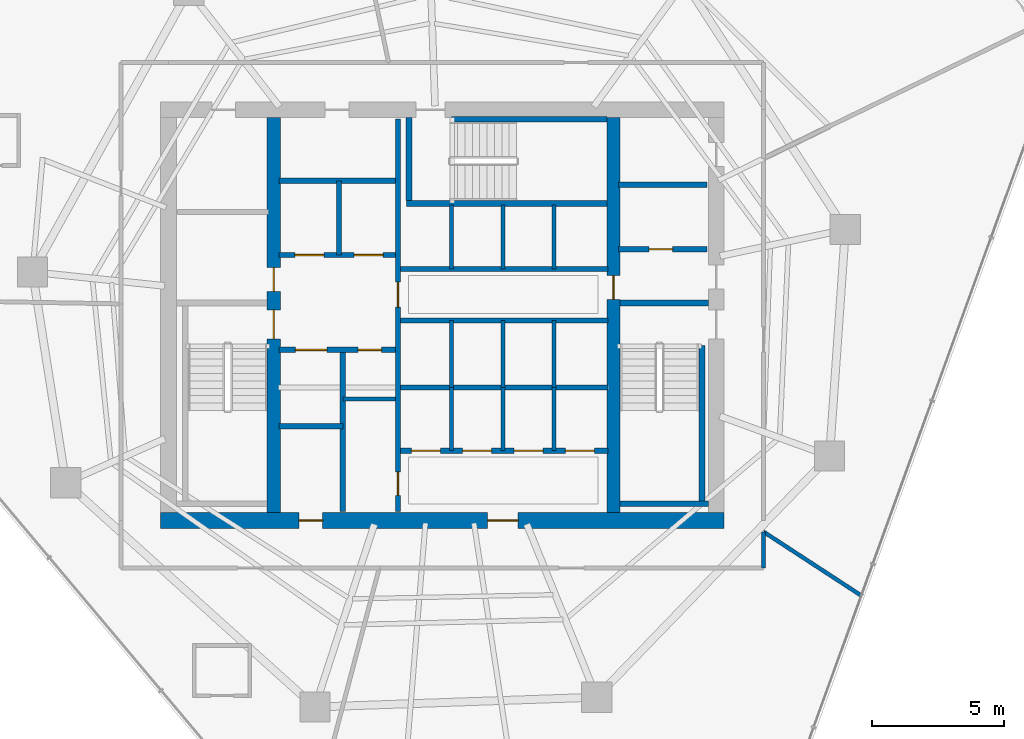
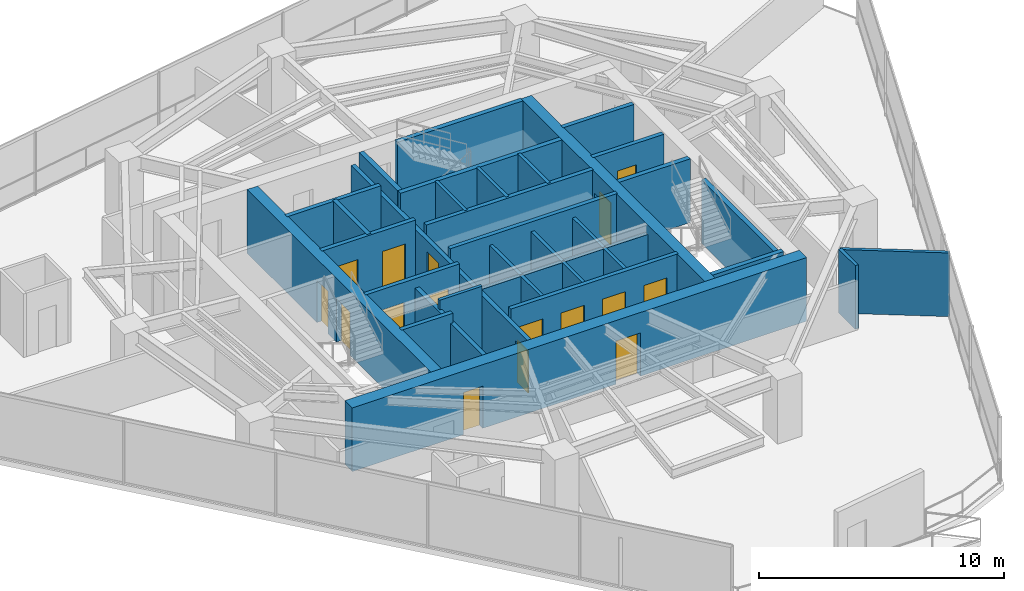
# One storey, part 24 of 27: 34 walls, 16 doors, 16 openings.
"""IFC4 building model written with IfcOpenShell, lengths in metres."""

from ifc_helpers import new_model, si_unit, direction, frame, frame_2d, origin, place, context, subcontext, project, spatial, rectangle, extrude, material, layer, layer_set, type_object, element, fill, save


model = new_model("IFC4")

# Units and contexts
model_context = context("Model", 3, precision=1e-05, world=origin(), true_north=direction((0.0, 1.0)))
body_context = subcontext(model_context, "Body", "Model", "MODEL_VIEW")
ifc_project = project(units=[si_unit("LENGTHUNIT", "METRE"), si_unit("AREAUNIT", "SQUARE_METRE"), si_unit("VOLUMEUNIT", "CUBIC_METRE"), si_unit("PLANEANGLEUNIT", "RADIAN"), si_unit("MASSUNIT", "GRAM", prefix="KILO")], contexts=[model_context])

# Site, building, storey
site_placement = place(None, origin())
site = spatial("IfcSite", under=ifc_project, at=site_placement, CompositionType="ELEMENT")
building_placement = place(site_placement, origin())
building = spatial("IfcBuilding", under=site, at=building_placement, Name="Qarnah Convention Tower", CompositionType="ELEMENT")
storey_placement = place(building_placement, frame((0.0, 0.0, 103.949951171875)))
storey = spatial("IfcBuildingStorey", under=building, at=storey_placement, Name="L27", CompositionType="ELEMENT", Elevation=103.949951171875)

# Wall, openings, doors
ifc_material_1 = material(Name="Concrete C60/75", Category="concrete")
ifc_layer_1 = layer(ifc_material_1, 0.60009765625)
ifc_layer_set_1 = layer_set([ifc_layer_1], Name="Concrete C60/75")
wall_type_1 = type_object("IfcWallType", Name="WL-CORE-600", PredefinedType="SHEAR", material=ifc_layer_set_1)
wall_1_placement = place(storey_placement, frame((26.5, 18.60009765625, 0.0), z_axis=(0.0, 0.0, 1.0), x_axis=(1.0, 0.0, 0.0)))
wall_1 = element("IfcWall", 1, at=wall_1_placement, inside=storey, type_object=wall_type_1, Name="L27 core south shear wall", PredefinedType="SHEAR", context=body_context, shape_type="SweptSolid", body=[
    extrude(rectangle(XDim=21.39990234375, YDim=0.60009765625, at=frame_2d((10.699951171875, 0.0))), origin(), (0.0, 0.0, 1.0), 3.170166015625),
])
opening_1_placement = place(wall_1_placement, frame((12.425048828125, 0.0, 0.0)))
opening_1 = element("IfcOpeningElement", 2, at=opening_1_placement, cuts=wall_1, Name="Opening D-2707", PredefinedType="OPENING", context=body_context, shape_type="SweptSolid", body=[
    extrude(rectangle(XDim=1.14990234375, YDim=2.14990234375, at=frame_2d((0.574951171875, 1.074951171875))), frame((0.0, 0.31005859375, 0.0), z_axis=(0.0, -1.0, 0.0), x_axis=(1.0, 0.0, 0.0)), (0.0, 0.0, 1.0), 0.6201171875),
])
opening_2_placement = place(wall_1_placement, frame((5.25, 0.0, 0.0)))
opening_2 = element("IfcOpeningElement", 3, at=opening_2_placement, cuts=wall_1, Name="Opening D-2713", PredefinedType="OPENING", context=body_context, shape_type="SweptSolid", body=[
    extrude(rectangle(XDim=0.89990234375, YDim=2.10009765625, at=frame_2d((0.449951171875, 1.050048828125))), frame((0.0, 0.31005859375, 0.0), z_axis=(0.0, -1.0, 0.0), x_axis=(1.0, 0.0, 0.0)), (0.0, 0.0, 1.0), 0.6201171875),
])
ifc_material_2 = material(Name="Structural steel S355JR", Category="steel")
door_type_1 = type_object("IfcDoorType", Name="DT-LOBBY-1150", OperationType="NOTDEFINED", PredefinedType="DOOR", material=ifc_material_2)
door_1_placement = place(opening_1_placement, origin())
door_1 = element("IfcDoor", 4, at=door_1_placement, inside=storey, type_object=door_type_1, Name="Door D-2707", OperationType="SINGLE_SWING_RIGHT", OverallHeight=2.14990234375, OverallWidth=1.14990234375, PredefinedType="DOOR", context=body_context, shape_type="SweptSolid", body=[
    extrude(rectangle(XDim=1.14990234375, YDim=2.14990234375, at=frame_2d((0.574951171875, 1.074951171875))), frame((0.0, 0.02490234375, 0.0), z_axis=(0.0, -1.0, 0.0), x_axis=(1.0, 0.0, 0.0)), (0.0, 0.0, 1.0), 0.050048828125),
])
fill(opening_1, door_1)
door_type_2 = type_object("IfcDoorType", Name="DT-RISER-900", OperationType="NOTDEFINED", PredefinedType="DOOR", material=ifc_material_2)
door_2_placement = place(opening_2_placement, origin())
door_2 = element("IfcDoor", 5, at=door_2_placement, inside=storey, type_object=door_type_2, Name="Door D-2713", OperationType="SINGLE_SWING_RIGHT", OverallHeight=2.10009765625, OverallWidth=0.89990234375, PredefinedType="DOOR", context=body_context, shape_type="SweptSolid", body=[
    extrude(rectangle(XDim=0.89990234375, YDim=2.10009765625, at=frame_2d((0.449951171875, 1.050048828125))), frame((0.0, 0.02490234375, 0.0), z_axis=(0.0, -1.0, 0.0), x_axis=(1.0, 0.0, 0.0)), (0.0, 0.0, 1.0), 0.050048828125),
])
fill(opening_2, door_2)

ifc_layer_2 = layer(ifc_material_1, 0.5)
ifc_layer_set_2 = layer_set([ifc_layer_2], Name="Concrete C60/75")
wall_type_2 = type_object("IfcWallType", Name="WL-CORE-INT-400", PredefinedType="SHEAR", material=ifc_layer_set_2)
wall_2_placement = place(storey_placement, frame((30.800048828125, 18.89990234375, 0.0), z_axis=(0.0, 0.0, 1.0), x_axis=(0.0, 1.0, 0.0)))
wall_2 = element("IfcWall", 6, at=wall_2_placement, inside=storey, type_object=wall_type_2, Name="L27 core west spine shear wall", PredefinedType="SHEAR", context=body_context, shape_type="SweptSolid", body=[
    extrude(rectangle(XDim=15.0, YDim=0.5, at=frame_2d((7.5, 0.0))), origin(), (0.0, 0.0, 1.0), 3.170166015625),
])
opening_3_placement = place(wall_2_placement, frame((6.60009765625, 0.0, 0.0)))
opening_3 = element("IfcOpeningElement", 7, at=opening_3_placement, cuts=wall_2, Name="Opening D-2701", PredefinedType="OPENING", context=body_context, shape_type="SweptSolid", body=[
    extrude(rectangle(XDim=1.10009765625, YDim=2.14990234375, at=frame_2d((0.550048828125, 1.074951171875))), frame((0.0, 0.260009765625, 0.0), z_axis=(0.0, -1.0, 0.0), x_axis=(1.0, 0.0, 0.0)), (0.0, 0.0, 1.0), 0.52001953125),
])
opening_4_placement = place(wall_2_placement, frame((8.39990234375, 0.0, 0.0)))
opening_4 = element("IfcOpeningElement", 8, at=opening_4_placement, cuts=wall_2, Name="Opening D-2708", PredefinedType="OPENING", context=body_context, shape_type="SweptSolid", body=[
    extrude(rectangle(XDim=0.89990234375, YDim=2.10009765625, at=frame_2d((0.449951171875, 1.050048828125))), frame((0.0, 0.260009765625, 0.0), z_axis=(0.0, -1.0, 0.0), x_axis=(1.0, 0.0, 0.0)), (0.0, 0.0, 1.0), 0.52001953125),
])
door_3_placement = place(opening_4_placement, origin())
door_3 = element("IfcDoor", 9, at=door_3_placement, inside=storey, type_object=door_type_2, Name="Door D-2708", OperationType="SINGLE_SWING_LEFT", OverallHeight=2.10009765625, OverallWidth=0.89990234375, PredefinedType="DOOR", context=body_context, shape_type="SweptSolid", body=[
    extrude(rectangle(XDim=0.89990234375, YDim=2.10009765625, at=frame_2d((0.449951171875, 1.050048828125))), frame((0.0, 0.02490234375, 0.0), z_axis=(0.0, -1.0, 0.0), x_axis=(1.0, 0.0, 0.0)), (0.0, 0.0, 1.0), 0.050048828125),
])
fill(opening_4, door_3)
door_type_3 = type_object("IfcDoorType", Name="DT-STAIR-1100", OperationType="NOTDEFINED", PredefinedType="DOOR", material=ifc_material_2)
door_4_placement = place(opening_3_placement, origin())
door_4 = element("IfcDoor", 10, at=door_4_placement, inside=storey, type_object=door_type_3, Name="Door D-2701", OperationType="SINGLE_SWING_RIGHT", OverallHeight=2.14990234375, OverallWidth=1.10009765625, PredefinedType="DOOR", context=body_context, shape_type="SweptSolid", body=[
    extrude(rectangle(XDim=1.10009765625, YDim=2.14990234375, at=frame_2d((0.550048828125, 1.074951171875))), frame((0.0, 0.02490234375, 0.0), z_axis=(0.0, -1.0, 0.0), x_axis=(1.0, 0.0, 0.0)), (0.0, 0.0, 1.0), 0.050048828125),
])
fill(opening_3, door_4)

# Wall, opening, door
wall_3_placement = place(storey_placement, frame((43.699951171875, 18.89990234375, 0.0), z_axis=(0.0, 0.0, 1.0), x_axis=(0.0, 1.0, 0.0)))
wall_3 = element("IfcWall", 11, at=wall_3_placement, inside=storey, type_object=wall_type_2, Name="L27 core east spine shear wall", PredefinedType="SHEAR", context=body_context, shape_type="SweptSolid", body=[
    extrude(rectangle(XDim=15.0, YDim=0.5, at=frame_2d((7.5, 0.0))), origin(), (0.0, 0.0, 1.0), 3.170166015625),
])
opening_5_placement = place(wall_3_placement, frame((8.10009765625, 0.0, 0.0)))
opening_5 = element("IfcOpeningElement", 12, at=opening_5_placement, cuts=wall_3, Name="Opening D-2705", PredefinedType="OPENING", context=body_context, shape_type="SweptSolid", body=[
    extrude(rectangle(XDim=0.89990234375, YDim=2.10009765625, at=frame_2d((0.449951171875, 1.050048828125))), frame((0.0, 0.260009765625, 0.0), z_axis=(0.0, -1.0, 0.0), x_axis=(1.0, 0.0, 0.0)), (0.0, 0.0, 1.0), 0.52001953125),
])
door_5_placement = place(opening_5_placement, origin())
door_5 = element("IfcDoor", 13, at=door_5_placement, inside=storey, type_object=door_type_2, Name="Door D-2705", OperationType="SINGLE_SWING_RIGHT", OverallHeight=2.10009765625, OverallWidth=0.89990234375, PredefinedType="DOOR", context=body_context, shape_type="SweptSolid", body=[
    extrude(rectangle(XDim=0.89990234375, YDim=2.10009765625, at=frame_2d((0.449951171875, 1.050048828125))), frame((0.0, 0.02490234375, 0.0), z_axis=(0.0, -1.0, 0.0), x_axis=(1.0, 0.0, 0.0)), (0.0, 0.0, 1.0), 0.050048828125),
])
fill(opening_5, door_5)

ifc_material_3 = material(Name="Concrete C45/55", Category="concrete")
ifc_layer_3 = layer(ifc_material_3, 0.199951171875)
ifc_layer_set_3 = layer_set([ifc_layer_3], Name="Concrete C45/55")
wall_type_3 = type_object("IfcWallType", Name="WL-CORE-PART-200", PredefinedType="SOLIDWALL", material=ifc_layer_set_3)
wall_4_placement = place(storey_placement, frame((43.89990234375, 28.89990234375, 0.0), z_axis=(0.0, 0.0, 1.0), x_axis=(1.0, 0.0, 0.0)))
wall_4 = element("IfcWall", 14, at=wall_4_placement, inside=storey, type_object=wall_type_3, Name="L27 interior wall IW-L27-EVSTN", PredefinedType="SOLIDWALL", context=body_context, shape_type="SweptSolid", body=[
    extrude(rectangle(XDim=3.35009765625, YDim=0.199951171875, at=frame_2d((1.675048828125, 0.0))), origin(), (0.0, 0.0, 1.0), 3.170166015625),
])
opening_6_placement = place(wall_4_placement, frame((1.14990234375, 0.0, 0.0)))
opening_6 = element("IfcOpeningElement", 15, at=opening_6_placement, cuts=wall_4, Name="Opening D-2711", PredefinedType="OPENING", context=body_context, shape_type="SweptSolid", body=[
    extrude(rectangle(XDim=0.89990234375, YDim=2.10009765625, at=frame_2d((0.449951171875, 1.050048828125))), frame((0.0, 0.10986328125, 0.0), z_axis=(0.0, -1.0, 0.0), x_axis=(1.0, 0.0, 0.0)), (0.0, 0.0, 1.0), 0.219970703125),
])
door_6_placement = place(opening_6_placement, origin())
door_6 = element("IfcDoor", 16, at=door_6_placement, inside=storey, type_object=door_type_2, Name="Door D-2711", OperationType="SINGLE_SWING_RIGHT", OverallHeight=2.10009765625, OverallWidth=0.89990234375, PredefinedType="DOOR", context=body_context, shape_type="SweptSolid", body=[
    extrude(rectangle(XDim=0.89990234375, YDim=2.10009765625, at=frame_2d((0.449951171875, 1.050048828125))), frame((0.0, 0.02490234375, 0.0), z_axis=(0.0, -1.0, 0.0), x_axis=(1.0, 0.0, 0.0)), (0.0, 0.0, 1.0), 0.050048828125),
])
fill(opening_6, door_6)

# Wall
wall_5_placement = place(storey_placement, frame((43.89990234375, 31.35009765625, 0.0), z_axis=(0.0, 0.0, 1.0), x_axis=(1.0, 0.0, 0.0)))
element("IfcWall", 17, at=wall_5_placement, inside=storey, type_object=wall_type_3, Name="L27 interior wall IW-L27-WTRN", PredefinedType="SOLIDWALL", context=body_context, shape_type="SweptSolid", body=[
    extrude(rectangle(XDim=3.35009765625, YDim=0.199951171875, at=frame_2d((1.675048828125, 0.0))), origin(), (0.0, 0.0, 1.0), 3.170166015625),
])

# Wall, openings, doors
wall_6_placement = place(storey_placement, frame((35.52001953125, 18.949951171875, 0.0), z_axis=(0.0, 0.0, 1.0), x_axis=(0.0, 1.0, 0.0)))
wall_6 = element("IfcWall", 18, at=wall_6_placement, inside=storey, type_object=wall_type_3, Name="L27 interior wall IW-L27-CSP", PredefinedType="SOLIDWALL", context=body_context, shape_type="SweptSolid", body=[
    extrude(rectangle(XDim=14.900146484375, YDim=0.199951171875, at=frame_2d((7.4501953125, 0.0))), origin(), (0.0, 0.0, 1.0), 2.691162109375),
])
opening_7_placement = place(wall_6_placement, frame((7.7548828125, 0.0, 0.0)))
opening_7 = element("IfcOpeningElement", 19, at=opening_7_placement, cuts=wall_6, Name="Opening D-2704", PredefinedType="OPENING", context=body_context, shape_type="SweptSolid", body=[
    extrude(rectangle(XDim=0.949951171875, YDim=2.14990234375, at=frame_2d((0.47509765625, 1.074951171875))), frame((0.0, 0.10986328125, 0.0), z_axis=(0.0, -1.0, 0.0), x_axis=(1.0, 0.0, 0.0)), (0.0, 0.0, 1.0), 0.219970703125),
])
opening_8_placement = place(wall_6_placement, frame((0.60009765625, 0.0, 0.0)))
opening_8 = element("IfcOpeningElement", 20, at=opening_8_placement, cuts=wall_6, Name="Opening D-2714", PredefinedType="OPENING", context=body_context, shape_type="SweptSolid", body=[
    extrude(rectangle(XDim=0.89990234375, YDim=2.10009765625, at=frame_2d((0.449951171875, 1.050048828125))), frame((0.0, 0.10986328125, 0.0), z_axis=(0.0, -1.0, 0.0), x_axis=(1.0, 0.0, 0.0)), (0.0, 0.0, 1.0), 0.219970703125),
])
ifc_material_4 = material(Name="Oak timber veneer", Category="wood")
door_type_4 = type_object("IfcDoorType", Name="DT-HOTEL-950", OperationType="NOTDEFINED", PredefinedType="DOOR", material=ifc_material_4)
door_7_placement = place(opening_7_placement, origin())
door_7 = element("IfcDoor", 21, at=door_7_placement, inside=storey, type_object=door_type_4, Name="Door D-2704", OperationType="SINGLE_SWING_LEFT", OverallHeight=2.14990234375, OverallWidth=0.949951171875, PredefinedType="DOOR", context=body_context, shape_type="SweptSolid", body=[
    extrude(rectangle(XDim=0.949951171875, YDim=2.14990234375, at=frame_2d((0.47509765625, 1.074951171875))), frame((0.0, 0.02490234375, 0.0), z_axis=(0.0, -1.0, 0.0), x_axis=(1.0, 0.0, 0.0)), (0.0, 0.0, 1.0), 0.050048828125),
])
fill(opening_7, door_7)
door_8_placement = place(opening_8_placement, origin())
door_8 = element("IfcDoor", 22, at=door_8_placement, inside=storey, type_object=door_type_2, Name="Door D-2714", OperationType="SINGLE_SWING_LEFT", OverallHeight=2.10009765625, OverallWidth=0.89990234375, PredefinedType="DOOR", context=body_context, shape_type="SweptSolid", body=[
    extrude(rectangle(XDim=0.89990234375, YDim=2.10009765625, at=frame_2d((0.449951171875, 1.050048828125))), frame((0.0, 0.02490234375, 0.0), z_axis=(0.0, -1.0, 0.0), x_axis=(1.0, 0.0, 0.0)), (0.0, 0.0, 1.0), 0.050048828125),
])
fill(opening_8, door_8)

wall_7_placement = place(storey_placement, frame((31.0, 28.679931640625, 0.0), z_axis=(0.0, 0.0, 1.0), x_axis=(1.0, 0.0, 0.0)))
wall_7 = element("IfcWall", 23, at=wall_7_placement, inside=storey, type_object=wall_type_3, Name="L27 interior wall IW-L27-FFLS", PredefinedType="SOLIDWALL", context=body_context, shape_type="SweptSolid", body=[
    extrude(rectangle(XDim=4.419921875, YDim=0.199951171875, at=frame_2d((2.2099609375, 0.0))), origin(), (0.0, 0.0, 1.0), 3.170166015625),
])
opening_9_placement = place(wall_7_placement, frame((0.60009765625, 0.0, 0.0)))
opening_9 = element("IfcOpeningElement", 24, at=opening_9_placement, cuts=wall_7, Name="Opening LD-2701", PredefinedType="OPENING", context=body_context, shape_type="SweptSolid", body=[
    extrude(rectangle(XDim=1.10009765625, YDim=2.14990234375, at=frame_2d((0.550048828125, 1.074951171875))), frame((0.0, 0.10986328125, 0.0), z_axis=(0.0, -1.0, 0.0), x_axis=(1.0, 0.0, 0.0)), (0.0, 0.0, 1.0), 0.219970703125),
])
opening_10_placement = place(wall_7_placement, frame((2.85009765625, 0.0, 0.0)))
opening_10 = element("IfcOpeningElement", 25, at=opening_10_placement, cuts=wall_7, Name="Opening LD-2702", PredefinedType="OPENING", context=body_context, shape_type="SweptSolid", body=[
    extrude(rectangle(XDim=1.10009765625, YDim=2.14990234375, at=frame_2d((0.550048828125, 1.074951171875))), frame((0.0, 0.10986328125, 0.0), z_axis=(0.0, -1.0, 0.0), x_axis=(1.0, 0.0, 0.0)), (0.0, 0.0, 1.0), 0.219970703125),
])
door_type_5 = type_object("IfcDoorType", Name="DT-LIFT-1100", OperationType="SLIDING_TO_LEFT", PredefinedType="DOOR", material=ifc_material_2)
door_9_placement = place(opening_9_placement, origin())
door_9 = element("IfcDoor", 26, at=door_9_placement, inside=storey, type_object=door_type_5, Name="Door LD-2701", OperationType="SLIDING_TO_LEFT", OverallHeight=2.14990234375, OverallWidth=1.10009765625, PredefinedType="DOOR", context=body_context, shape_type="SweptSolid", body=[
    extrude(rectangle(XDim=1.10009765625, YDim=2.14990234375, at=frame_2d((0.550048828125, 1.074951171875))), frame((0.0, 0.02490234375, 0.0), z_axis=(0.0, -1.0, 0.0), x_axis=(1.0, 0.0, 0.0)), (0.0, 0.0, 1.0), 0.050048828125),
])
fill(opening_9, door_9)
door_10_placement = place(opening_10_placement, origin())
door_10 = element("IfcDoor", 27, at=door_10_placement, inside=storey, type_object=door_type_5, Name="Door LD-2702", OperationType="SLIDING_TO_LEFT", OverallHeight=2.14990234375, OverallWidth=1.10009765625, PredefinedType="DOOR", context=body_context, shape_type="SweptSolid", body=[
    extrude(rectangle(XDim=1.10009765625, YDim=2.14990234375, at=frame_2d((0.550048828125, 1.074951171875))), frame((0.0, 0.02490234375, 0.0), z_axis=(0.0, -1.0, 0.0), x_axis=(1.0, 0.0, 0.0)), (0.0, 0.0, 1.0), 0.050048828125),
])
fill(opening_10, door_10)

# Walls
wall_8_placement = place(storey_placement, frame((31.0, 31.5, 0.0), z_axis=(0.0, 0.0, 1.0), x_axis=(1.0, 0.0, 0.0)))
element("IfcWall", 28, at=wall_8_placement, inside=storey, type_object=wall_type_3, Name="L27 interior wall IW-L27-FFLN", PredefinedType="SOLIDWALL", context=body_context, shape_type="SweptSolid", body=[
    extrude(rectangle(XDim=4.419921875, YDim=0.199951171875, at=frame_2d((2.2099609375, 0.0))), origin(), (0.0, 0.0, 1.0), 3.170166015625),
])
wall_9_placement = place(storey_placement, frame((33.280029296875, 28.679931640625, 0.0), z_axis=(0.0, 0.0, 1.0), x_axis=(0.0, 1.0, 0.0)))
element("IfcWall", 29, at=wall_9_placement, inside=storey, type_object=wall_type_3, Name="L27 interior wall IW-L27-FFLM", PredefinedType="SOLIDWALL", context=body_context, shape_type="SweptSolid", body=[
    extrude(rectangle(XDim=2.820068359375, YDim=0.199951171875, at=frame_2d((1.41015625, 0.0))), origin(), (0.0, 0.0, 1.0), 3.170166015625),
])

# Wall, openings, doors
wall_10_placement = place(storey_placement, frame((31.0, 25.080078125, 0.0), z_axis=(0.0, 0.0, 1.0), x_axis=(1.0, 0.0, 0.0)))
wall_10 = element("IfcWall", 30, at=wall_10_placement, inside=storey, type_object=wall_type_3, Name="L27 interior wall IW-L27-FFLBS", PredefinedType="SOLIDWALL", context=body_context, shape_type="SweptSolid", body=[
    extrude(rectangle(XDim=4.419921875, YDim=0.199951171875, at=frame_2d((2.2099609375, 0.0))), origin(), (0.0, 0.0, 1.0), 3.170166015625),
])
opening_11_placement = place(wall_10_placement, frame((3.0, 0.0, 0.0)))
opening_11 = element("IfcOpeningElement", 31, at=opening_11_placement, cuts=wall_10, Name="Opening D-2715", PredefinedType="OPENING", context=body_context, shape_type="SweptSolid", body=[
    extrude(rectangle(XDim=0.89990234375, YDim=2.10009765625, at=frame_2d((0.449951171875, 1.050048828125))), frame((0.0, 0.10986328125, 0.0), z_axis=(0.0, -1.0, 0.0), x_axis=(1.0, 0.0, 0.0)), (0.0, 0.0, 1.0), 0.219970703125),
])
opening_12_placement = place(wall_10_placement, frame((0.6201171875, 0.0, 0.0)))
opening_12 = element("IfcOpeningElement", 32, at=opening_12_placement, cuts=wall_10, Name="Opening LD-2703", PredefinedType="OPENING", context=body_context, shape_type="SweptSolid", body=[
    extrude(rectangle(XDim=1.199951171875, YDim=2.14990234375, at=frame_2d((0.60009765625, 1.074951171875))), frame((0.0, 0.10986328125, 0.0), z_axis=(0.0, -1.0, 0.0), x_axis=(1.0, 0.0, 0.0)), (0.0, 0.0, 1.0), 0.219970703125),
])
door_type_6 = type_object("IfcDoorType", Name="DT-LIFT-1200", OperationType="SLIDING_TO_LEFT", PredefinedType="DOOR", material=ifc_material_2)
door_11_placement = place(opening_12_placement, origin())
door_11 = element("IfcDoor", 33, at=door_11_placement, inside=storey, type_object=door_type_6, Name="Door LD-2703", OperationType="SLIDING_TO_LEFT", OverallHeight=2.14990234375, OverallWidth=1.199951171875, PredefinedType="DOOR", context=body_context, shape_type="SweptSolid", body=[
    extrude(rectangle(XDim=1.199951171875, YDim=2.14990234375, at=frame_2d((0.60009765625, 1.074951171875))), frame((0.0, 0.02490234375, 0.0), z_axis=(0.0, -1.0, 0.0), x_axis=(1.0, 0.0, 0.0)), (0.0, 0.0, 1.0), 0.050048828125),
])
fill(opening_12, door_11)
door_12_placement = place(opening_11_placement, origin())
door_12 = element("IfcDoor", 34, at=door_12_placement, inside=storey, type_object=door_type_2, Name="Door D-2715", OperationType="SINGLE_SWING_RIGHT", OverallHeight=2.10009765625, OverallWidth=0.89990234375, PredefinedType="DOOR", context=body_context, shape_type="SweptSolid", body=[
    extrude(rectangle(XDim=0.89990234375, YDim=2.10009765625, at=frame_2d((0.449951171875, 1.050048828125))), frame((0.0, 0.02490234375, 0.0), z_axis=(0.0, -1.0, 0.0), x_axis=(1.0, 0.0, 0.0)), (0.0, 0.0, 1.0), 0.050048828125),
])
fill(opening_11, door_12)

# Walls
wall_11_placement = place(storey_placement, frame((33.419921875, 18.949951171875, 0.0), z_axis=(0.0, 0.0, 1.0), x_axis=(0.0, 1.0, 0.0)))
element("IfcWall", 35, at=wall_11_placement, inside=storey, type_object=wall_type_3, Name="L27 interior wall IW-L27-SVLE", PredefinedType="SOLIDWALL", context=body_context, shape_type="SweptSolid", body=[
    extrude(rectangle(XDim=6.130126953125, YDim=0.199951171875, at=frame_2d((3.06494140625, 0.0))), origin(), (0.0, 0.0, 1.0), 2.691162109375),
])
wall_12_placement = place(storey_placement, frame((31.0, 22.179931640625, 0.0), z_axis=(0.0, 0.0, 1.0), x_axis=(1.0, 0.0, 0.0)))
element("IfcWall", 36, at=wall_12_placement, inside=storey, type_object=wall_type_3, Name="L27 interior wall IW-L27-SVLS", PredefinedType="SOLIDWALL", context=body_context, shape_type="SweptSolid", body=[
    extrude(rectangle(XDim=2.419921875, YDim=0.199951171875, at=frame_2d((1.2099609375, 0.0))), origin(), (0.0, 0.0, 1.0), 3.170166015625),
])
for number, where, z_axis, x_axis, name in (
    (37, (35.6201171875, 28.14990234375, 0.0), (0.0, 0.0, 1.0), (1.0, 0.0, 0.0), "L27 interior wall IW-L27-PHS"),
    (38, (35.6201171875, 26.199951171875, 0.0), (0.0, 0.0, 1.0), (1.0, 0.0, 0.0), "L27 interior wall IW-L27-PMN"),
):
    element("IfcWall", number, at=place(storey_placement, frame(where, z_axis=z_axis, x_axis=x_axis)), inside=storey, type_object=wall_type_3, Name=name, PredefinedType="SOLIDWALL", context=body_context, shape_type="SweptSolid", body=[
        extrude(rectangle(XDim=7.8798828125, YDim=0.199951171875, at=frame_2d((3.93994140625, 0.0))), origin(), (0.0, 0.0, 1.0), 3.170166015625),
    ])
wall_13_placement = place(storey_placement, frame((35.6201171875, 23.64990234375, 0.0), z_axis=(0.0, 0.0, 1.0), x_axis=(1.0, 0.0, 0.0)))
element("IfcWall", 39, at=wall_13_placement, inside=storey, type_object=wall_type_3, Name="L27 interior wall IW-L27-PMPL", PredefinedType="SOLIDWALL", context=body_context, shape_type="SweptSolid", body=[
    extrude(rectangle(XDim=7.8798828125, YDim=0.199951171875, at=frame_2d((3.93994140625, 0.0))), origin(), (0.0, 0.0, 1.0), 2.691162109375),
])

# Wall, openings, doors
wall_14_placement = place(storey_placement, frame((35.6201171875, 21.25, 0.0), z_axis=(0.0, 0.0, 1.0), x_axis=(1.0, 0.0, 0.0)))
wall_14 = element("IfcWall", 40, at=wall_14_placement, inside=storey, type_object=wall_type_3, Name="L27 interior wall IW-L27-PLS", PredefinedType="SOLIDWALL", context=body_context, shape_type="SweptSolid", body=[
    extrude(rectangle(XDim=7.8798828125, YDim=0.199951171875, at=frame_2d((3.93994140625, 0.0))), origin(), (0.0, 0.0, 1.0), 3.170166015625),
])
opening_13_placement = place(wall_14_placement, frame((0.405029296875, 0.0, 0.0)))
opening_13 = element("IfcOpeningElement", 41, at=opening_13_placement, cuts=wall_14, Name="Opening LD-2704", PredefinedType="OPENING", context=body_context, shape_type="SweptSolid", body=[
    extrude(rectangle(XDim=1.10009765625, YDim=2.14990234375, at=frame_2d((0.550048828125, 1.074951171875))), frame((0.0, 0.10986328125, 0.0), z_axis=(0.0, -1.0, 0.0), x_axis=(1.0, 0.0, 0.0)), (0.0, 0.0, 1.0), 0.219970703125),
])
opening_14_placement = place(wall_14_placement, frame((2.35498046875, 0.0, 0.0)))
opening_14 = element("IfcOpeningElement", 42, at=opening_14_placement, cuts=wall_14, Name="Opening LD-2705", PredefinedType="OPENING", context=body_context, shape_type="SweptSolid", body=[
    extrude(rectangle(XDim=1.10009765625, YDim=2.14990234375, at=frame_2d((0.550048828125, 1.074951171875))), frame((0.0, 0.10986328125, 0.0), z_axis=(0.0, -1.0, 0.0), x_axis=(1.0, 0.0, 0.0)), (0.0, 0.0, 1.0), 0.219970703125),
])
opening_15_placement = place(wall_14_placement, frame((4.304931640625, 0.0, 0.0)))
opening_15 = element("IfcOpeningElement", 43, at=opening_15_placement, cuts=wall_14, Name="Opening LD-2706", PredefinedType="OPENING", context=body_context, shape_type="SweptSolid", body=[
    extrude(rectangle(XDim=1.10009765625, YDim=2.14990234375, at=frame_2d((0.550048828125, 1.074951171875))), frame((0.0, 0.10986328125, 0.0), z_axis=(0.0, -1.0, 0.0), x_axis=(1.0, 0.0, 0.0)), (0.0, 0.0, 1.0), 0.219970703125),
])
opening_16_placement = place(wall_14_placement, frame((6.2548828125, 0.0, 0.0)))
opening_16 = element("IfcOpeningElement", 44, at=opening_16_placement, cuts=wall_14, Name="Opening LD-2707", PredefinedType="OPENING", context=body_context, shape_type="SweptSolid", body=[
    extrude(rectangle(XDim=1.10009765625, YDim=2.14990234375, at=frame_2d((0.550048828125, 1.074951171875))), frame((0.0, 0.10986328125, 0.0), z_axis=(0.0, -1.0, 0.0), x_axis=(1.0, 0.0, 0.0)), (0.0, 0.0, 1.0), 0.219970703125),
])
door_13_placement = place(opening_13_placement, origin())
door_13 = element("IfcDoor", 45, at=door_13_placement, inside=storey, type_object=door_type_5, Name="Door LD-2704", OperationType="SLIDING_TO_LEFT", OverallHeight=2.14990234375, OverallWidth=1.10009765625, PredefinedType="DOOR", context=body_context, shape_type="SweptSolid", body=[
    extrude(rectangle(XDim=1.10009765625, YDim=2.14990234375, at=frame_2d((0.550048828125, 1.074951171875))), frame((0.0, 0.02490234375, 0.0), z_axis=(0.0, -1.0, 0.0), x_axis=(1.0, 0.0, 0.0)), (0.0, 0.0, 1.0), 0.050048828125),
])
fill(opening_13, door_13)
door_14_placement = place(opening_14_placement, origin())
door_14 = element("IfcDoor", 46, at=door_14_placement, inside=storey, type_object=door_type_5, Name="Door LD-2705", OperationType="SLIDING_TO_LEFT", OverallHeight=2.14990234375, OverallWidth=1.10009765625, PredefinedType="DOOR", context=body_context, shape_type="SweptSolid", body=[
    extrude(rectangle(XDim=1.10009765625, YDim=2.14990234375, at=frame_2d((0.550048828125, 1.074951171875))), frame((0.0, 0.02490234375, 0.0), z_axis=(0.0, -1.0, 0.0), x_axis=(1.0, 0.0, 0.0)), (0.0, 0.0, 1.0), 0.050048828125),
])
fill(opening_14, door_14)
door_15_placement = place(opening_15_placement, origin())
door_15 = element("IfcDoor", 47, at=door_15_placement, inside=storey, type_object=door_type_5, Name="Door LD-2706", OperationType="SLIDING_TO_LEFT", OverallHeight=2.14990234375, OverallWidth=1.10009765625, PredefinedType="DOOR", context=body_context, shape_type="SweptSolid", body=[
    extrude(rectangle(XDim=1.10009765625, YDim=2.14990234375, at=frame_2d((0.550048828125, 1.074951171875))), frame((0.0, 0.02490234375, 0.0), z_axis=(0.0, -1.0, 0.0), x_axis=(1.0, 0.0, 0.0)), (0.0, 0.0, 1.0), 0.050048828125),
])
fill(opening_15, door_15)
door_16_placement = place(opening_16_placement, origin())
door_16 = element("IfcDoor", 48, at=door_16_placement, inside=storey, type_object=door_type_5, Name="Door LD-2707", OperationType="SLIDING_TO_LEFT", OverallHeight=2.14990234375, OverallWidth=1.10009765625, PredefinedType="DOOR", context=body_context, shape_type="SweptSolid", body=[
    extrude(rectangle(XDim=1.10009765625, YDim=2.14990234375, at=frame_2d((0.550048828125, 1.074951171875))), frame((0.0, 0.02490234375, 0.0), z_axis=(0.0, -1.0, 0.0), x_axis=(1.0, 0.0, 0.0)), (0.0, 0.0, 1.0), 0.050048828125),
])
fill(opening_16, door_16)

# Walls
ifc_layer_4 = layer(ifc_material_1, 0.219970703125)
ifc_layer_set_4 = layer_set([ifc_layer_4], Name="Concrete C60/75")
wall_type_4 = type_object("IfcWallType", Name="WL-CORE-STAIR-220", PredefinedType="SHEAR", material=ifc_layer_set_4)
wall_15_placement = place(storey_placement, frame((43.949951171875, 26.860107421875, 0.0), z_axis=(0.0, 0.0, 1.0), x_axis=(1.0, 0.0, 0.0)))
element("IfcWall", 49, at=wall_15_placement, inside=storey, type_object=wall_type_4, Name="L27 stair shaft shear wall SW-L27-ST2N", PredefinedType="SHEAR", context=body_context, shape_type="SweptSolid", body=[
    extrude(rectangle(XDim=3.35009765625, YDim=0.219970703125, at=frame_2d((1.675048828125, 0.0))), origin(), (0.0, 0.0, 1.0), 3.170166015625),
])
wall_16_placement = place(storey_placement, frame((47.06005859375, 19.35009765625, 0.0), z_axis=(0.0, 0.0, 1.0), x_axis=(0.0, 1.0, 0.0)))
element("IfcWall", 50, at=wall_16_placement, inside=storey, type_object=wall_type_4, Name="L27 stair shaft shear wall SW-L27-ST2E", PredefinedType="SHEAR", context=body_context, shape_type="SweptSolid", body=[
    extrude(rectangle(XDim=5.89990234375, YDim=0.219970703125, at=frame_2d((2.949951171875, 0.0))), origin(), (0.0, 0.0, 1.0), 3.170166015625),
])
wall_17_placement = place(storey_placement, frame((43.949951171875, 19.239990234375, 0.0), z_axis=(0.0, 0.0, 1.0), x_axis=(1.0, 0.0, 0.0)))
element("IfcWall", 51, at=wall_17_placement, inside=storey, type_object=wall_type_4, Name="L27 stair shaft shear wall SW-L27-ST2S", PredefinedType="SHEAR", context=body_context, shape_type="SweptSolid", body=[
    extrude(rectangle(XDim=3.35009765625, YDim=0.219970703125, at=frame_2d((1.675048828125, 0.0))), origin(), (0.0, 0.0, 1.0), 3.170166015625),
])
wall_18_placement = place(storey_placement, frame((35.840087890625, 30.639892578125, 0.0), z_axis=(0.0, 0.0, 1.0), x_axis=(1.0, 0.0, 0.0)))
element("IfcWall", 52, at=wall_18_placement, inside=storey, type_object=wall_type_4, Name="L27 stair shaft shear wall SW-L27-ST3S", PredefinedType="SHEAR", context=body_context, shape_type="SweptSolid", body=[
    extrude(rectangle(XDim=7.60986328125, YDim=0.219970703125, at=frame_2d((3.804931640625, 0.0))), origin(), (0.0, 0.0, 1.0), 3.170166015625),
])
wall_19_placement = place(storey_placement, frame((35.93994140625, 30.75, 0.0), z_axis=(0.0, 0.0, 1.0), x_axis=(0.0, 1.0, 0.0)))
element("IfcWall", 53, at=wall_19_placement, inside=storey, type_object=wall_type_4, Name="L27 stair shaft shear wall SW-L27-ST3W", PredefinedType="SHEAR", context=body_context, shape_type="SweptSolid", body=[
    extrude(rectangle(XDim=3.14990234375, YDim=0.219970703125, at=frame_2d((1.574951171875, 0.0))), origin(), (0.0, 0.0, 1.0), 3.170166015625),
])
wall_20_placement = place(storey_placement, frame((37.550048828125, 33.840087890625, 0.0), z_axis=(0.0, 0.0, 1.0), x_axis=(1.0, 0.0, 0.0)))
element("IfcWall", 54, at=wall_20_placement, inside=storey, type_object=wall_type_4, Name="L27 stair shaft shear wall SW-L27-ST3N", PredefinedType="SHEAR", context=body_context, shape_type="SweptSolid", body=[
    extrude(rectangle(XDim=5.89990234375, YDim=0.219970703125, at=frame_2d((2.949951171875, 0.0))), origin(), (0.0, 0.0, 1.0), 3.170166015625),
])
ifc_material_5 = material(Name="Gypsum partition board")
ifc_layer_5 = layer(ifc_material_5, 0.14990234375)
ifc_layer_set_5 = layer_set([ifc_layer_5], Name="Gypsum partition board")
wall_type_5 = type_object("IfcWallType", Name="WL-SUITE-150", PredefinedType="PARTITIONING", material=ifc_layer_set_5)
wall_21_placement = place(storey_placement, frame((33.419921875, 23.219970703125, 0.0), z_axis=(0.0, 0.0, 1.0), x_axis=(1.0, 0.0, 0.0)))
element("IfcWall", 55, at=wall_21_placement, inside=storey, type_object=wall_type_5, Name="L27 interior wall IW-L27-CSV1", PredefinedType="PARTITIONING", context=body_context, shape_type="SweptSolid", body=[
    extrude(rectangle(XDim=2.0, YDim=0.14990234375, at=frame_2d((1.0, 0.0))), origin(), (0.0, 0.0, 1.0), 3.170166015625),
])
for number, where, z_axis, x_axis, name in (
    (56, (37.550048828125, 28.14990234375, 0.0), (0.0, 0.0, 1.0), (0.0, 1.0, 0.0), "L27 interior wall IW-L27-PHD1"),
    (57, (39.5, 28.14990234375, 0.0), (0.0, 0.0, 1.0), (0.0, 1.0, 0.0), "L27 interior wall IW-L27-PHD2"),
    (58, (41.449951171875, 28.14990234375, 0.0), (0.0, 0.0, 1.0), (0.0, 1.0, 0.0), "L27 interior wall IW-L27-PHD3"),
):
    element("IfcWall", number, at=place(storey_placement, frame(where, z_axis=z_axis, x_axis=x_axis)), inside=storey, type_object=wall_type_5, Name=name, PredefinedType="PARTITIONING", context=body_context, shape_type="SweptSolid", body=[
        extrude(rectangle(XDim=2.43017578125, YDim=0.14990234375, at=frame_2d((1.215087890625, 0.0))), origin(), (0.0, 0.0, 1.0), 3.170166015625),
    ])
for number, where, z_axis, x_axis, name in (
    (59, (37.550048828125, 23.64990234375, 0.0), (0.0, 0.0, 1.0), (0.0, 1.0, 0.0), "L27 interior wall IW-L27-PMD1"),
    (60, (39.5, 23.64990234375, 0.0), (0.0, 0.0, 1.0), (0.0, 1.0, 0.0), "L27 interior wall IW-L27-PMD2"),
    (61, (41.449951171875, 23.64990234375, 0.0), (0.0, 0.0, 1.0), (0.0, 1.0, 0.0), "L27 interior wall IW-L27-PMD3"),
):
    element("IfcWall", number, at=place(storey_placement, frame(where, z_axis=z_axis, x_axis=x_axis)), inside=storey, type_object=wall_type_5, Name=name, PredefinedType="PARTITIONING", context=body_context, shape_type="SweptSolid", body=[
        extrude(rectangle(XDim=2.550048828125, YDim=0.14990234375, at=frame_2d((1.27490234375, 0.0))), origin(), (0.0, 0.0, 1.0), 2.691162109375),
    ])
for number, where, z_axis, x_axis, name in (
    (62, (37.550048828125, 21.25, 0.0), (0.0, 0.0, 1.0), (0.0, 1.0, 0.0), "L27 interior wall IW-L27-PLD1"),
    (63, (39.5, 21.25, 0.0), (0.0, 0.0, 1.0), (0.0, 1.0, 0.0), "L27 interior wall IW-L27-PLD2"),
    (64, (41.449951171875, 21.25, 0.0), (0.0, 0.0, 1.0), (0.0, 1.0, 0.0), "L27 interior wall IW-L27-PLD3"),
):
    element("IfcWall", number, at=place(storey_placement, frame(where, z_axis=z_axis, x_axis=x_axis)), inside=storey, type_object=wall_type_5, Name=name, PredefinedType="PARTITIONING", context=body_context, shape_type="SweptSolid", body=[
        extrude(rectangle(XDim=2.39990234375, YDim=0.14990234375, at=frame_2d((1.199951171875, 0.0))), origin(), (0.0, 0.0, 1.0), 2.691162109375),
    ])
wall_22_placement = place(storey_placement, frame((53.152099609375, 15.721923828125, 0.0), z_axis=(0.0, 0.0, 1.0), x_axis=(-0.83741759832, 0.54656359742, 0.0)))
element("IfcWall", 65, at=wall_22_placement, inside=storey, type_object=wall_type_5, Name="L27 interior wall IW-L27-R-22", PredefinedType="PARTITIONING", context=body_context, shape_type="SweptSolid", body=[
    extrude(rectangle(XDim=4.480712890625, YDim=0.14990234375, at=frame_2d((2.240234375, 0.0))), origin(), (0.0, 0.0, 1.0), 3.170166015625),
])
wall_23_placement = place(storey_placement, frame((49.39990234375, 18.1708984375, 0.0), z_axis=(0.0, 0.0, 1.0), x_axis=(0.0, -1.0, 0.0)))
element("IfcWall", 66, at=wall_23_placement, inside=storey, type_object=wall_type_5, Name="L27 interior wall IW-L27-R-23", PredefinedType="PARTITIONING", context=body_context, shape_type="SweptSolid", body=[
    extrude(rectangle(XDim=1.370849609375, YDim=0.14990234375, at=frame_2d((0.685546875, 0.0))), origin(), (0.0, 0.0, 1.0), 3.170166015625),
])

save(model, "model.ifc")
